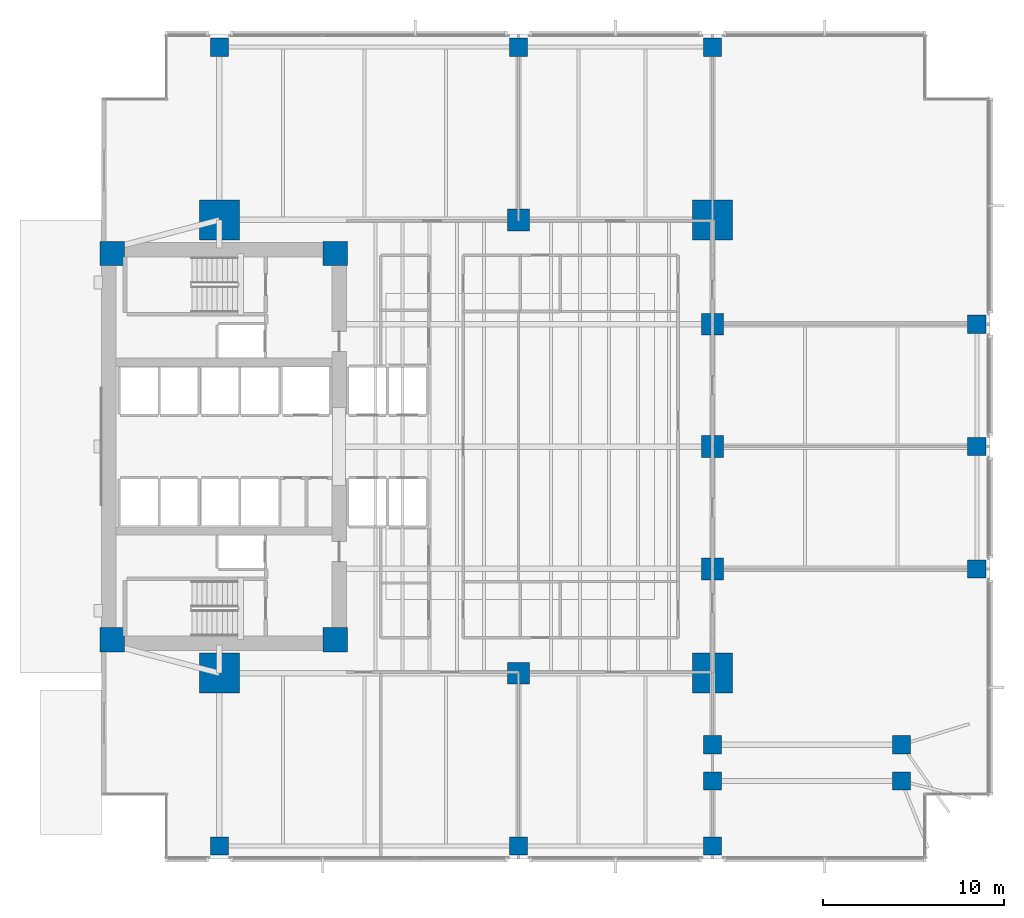
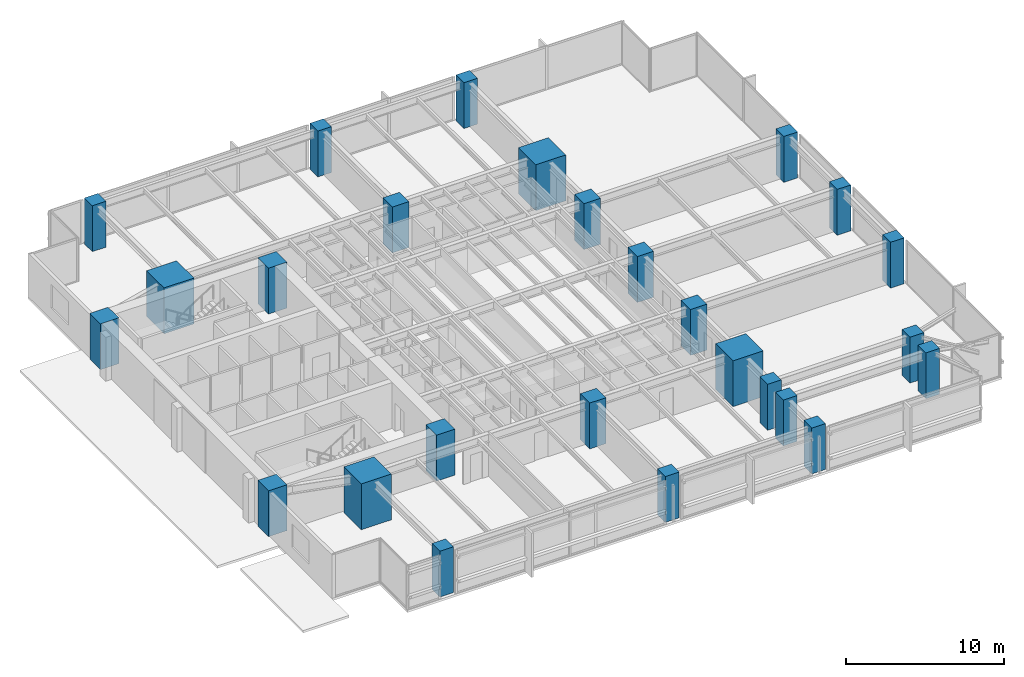
# One storey, part 1 of 16: 26 columns.
"""IFC4 building model written with IfcOpenShell, lengths in metres."""

import ifcopenshell
import ifcopenshell.guid

model = None  # the IFC model being written
_history = None  # IfcOwnerHistory: only IFC2X3 demands one
_inside = {}  # id of a spatial element -> (the spatial element, [elements in it])
_under = {}  # id of a project, library or spatial element -> (it, [spatial elements below it])
_declared = {}  # id of a project -> (the project, [libraries it declares])
_typed = {}  # id of a type object -> (the type object, [elements of that type])
_made_of = {}  # id of a material, layer set ... -> (it, [elements and type objects made of it])


def new_model(schema):
    """Start an empty IFC model of exactly this schema.

    Asked for "IFC4X3", IfcOpenShell would pick the latest addendum, in which some entities
    have other attributes; the version numbers below select the first issue.
    IFC2X3 requires an IfcOwnerHistory on every rooted entity: one is made here for all.
    """
    global model, _history
    if schema == "IFC4X3":
        model = ifcopenshell.file(schema_version=(4, 3, 0, 0))
    else:
        model = ifcopenshell.file(schema=schema)
    _inside.clear()
    _under.clear()
    _declared.clear()
    _typed.clear()
    _made_of.clear()
    _history = None
    if model.schema == "IFC2X3":
        org = make("IfcOrganization", Name="unknown")
        user = make(
            "IfcPersonAndOrganization",
            ThePerson=make("IfcPerson", FamilyName="unknown"),
            TheOrganization=org,
        )
        app = make(
            "IfcApplication",
            ApplicationDeveloper=org,
            Version="unknown",
            ApplicationFullName="unknown",
            ApplicationIdentifier="unknown",
        )
        _history = make(
            "IfcOwnerHistory",
            OwningUser=user,
            OwningApplication=app,
            ChangeAction="ADDED",
            CreationDate=0,
        )
    return model


def make(cls, **values):
    """One entity of the class cls with the attributes given. An attribute that is None is left unset."""
    return model.create_entity(
        cls, **{name: value for name, value in values.items() if value is not None}
    )


def rooted(cls, **values):
    """An entity with a GlobalId (a new one), such as an element, a storey or a relation."""
    return make(cls, GlobalId=ifcopenshell.guid.new(), OwnerHistory=_history, **values)


def si_unit(unit_type, name, prefix=None):
    """IfcSIUnit, for example si_unit("LENGTHUNIT", "METRE", prefix="MILLI")."""
    return make("IfcSIUnit", UnitType=unit_type, Prefix=prefix, Name=name)


def assignment(units):
    """IfcUnitAssignment: the units of a project."""
    return None if units is None else make("IfcUnitAssignment", Units=units)


def point(xyz):
    """IfcCartesianPoint."""
    return None if xyz is None else make("IfcCartesianPoint", Coordinates=xyz)


def direction(xyz):
    """IfcDirection."""
    return None if xyz is None else make("IfcDirection", DirectionRatios=xyz)


def frame(location, z_axis=None, x_axis=None):
    """IfcAxis2Placement3D, a coordinate frame: its origin and axes. An axis left out is left unset."""
    return make(
        "IfcAxis2Placement3D",
        Location=point(location),
        Axis=direction(z_axis),
        RefDirection=direction(x_axis),
    )


def frame_2d(location, x_axis=None):
    """IfcAxis2Placement2D, a coordinate frame in the plane: its origin and x axis."""
    return make(
        "IfcAxis2Placement2D", Location=point(location), RefDirection=direction(x_axis)
    )


def origin():
    """The frame at (0, 0, 0) with its axes left unset."""
    return frame((0.0, 0.0, 0.0))


def origin_2d():
    """The frame at (0, 0) in the plane with its x axis left unset."""
    return frame_2d((0.0, 0.0))


def place(relative_to, where):
    """IfcLocalPlacement: puts the frame where relative to a parent placement (None: the world)."""
    return make(
        "IfcLocalPlacement", PlacementRelTo=relative_to, RelativePlacement=where
    )


def context(
    kind, dimensions, precision=None, world=None, true_north=None, identifier=None
):
    """IfcGeometricRepresentationContext, for example the 3D "Model" context."""
    return make(
        "IfcGeometricRepresentationContext",
        ContextIdentifier=identifier,
        ContextType=kind,
        CoordinateSpaceDimension=dimensions,
        Precision=precision,
        WorldCoordinateSystem=world,
        TrueNorth=true_north,
    )


def subcontext(parent, identifier, kind, view, scale=None):
    """IfcGeometricRepresentationSubContext, for example "Body" below "Model"."""
    return make(
        "IfcGeometricRepresentationSubContext",
        ContextIdentifier=identifier,
        ContextType=kind,
        ParentContext=parent,
        TargetScale=scale,
        TargetView=view,
    )


def project(units=None, contexts=None):
    """IfcProject with its units and contexts."""
    return rooted(
        "IfcProject",
        Name="project",
        RepresentationContexts=contexts,
        UnitsInContext=assignment(units),
    )


def spatial(cls, under=None, at=None, **own):
    """A site, building, storey or space (cls), placed at a placement, below another one or the project."""
    s = rooted(cls, ObjectPlacement=at, **own)
    if under is not None:
        _under.setdefault(under.id(), (under, []))[1].append(s)
    return s


def profile(cls, at=None, kind="AREA", **sizes):
    """A parametric profile (cls). Its sizes go by their IFC names, for example OverallWidth=200.0."""
    return make(cls, ProfileType=kind, Position=at, **sizes)


def rectangle(**sizes):
    """IfcRectangleProfileDef."""
    return profile("IfcRectangleProfileDef", **sizes)


def extrude(swept, where, along, depth):
    """IfcExtrudedAreaSolid: the profile swept, set in the frame where, extruded along a direction by depth."""
    return make(
        "IfcExtrudedAreaSolid",
        SweptArea=swept,
        Position=where,
        ExtrudedDirection=direction(along),
        Depth=depth,
    )


def shape(context_of_items, identifier, shape_type, items):
    """IfcShapeRepresentation: the items that make up one representation, for example the "Body"."""
    return make(
        "IfcShapeRepresentation",
        ContextOfItems=context_of_items,
        RepresentationIdentifier=identifier,
        RepresentationType=shape_type,
        Items=items,
    )


def material(Name=None, Category=None):
    """IfcMaterial."""
    return make("IfcMaterial", Name=Name, Category=Category)


def material_profile(
    of_material, cross_section, Name=None, Category=None, Priority=None
):
    """IfcMaterialProfile: a cross section and its material."""
    return make(
        "IfcMaterialProfile",
        Name=Name,
        Material=of_material,
        Profile=cross_section,
        Priority=Priority,
        Category=Category,
    )


def profile_set(profiles, Name=None, composite=None):
    """IfcMaterialProfileSet."""
    return make(
        "IfcMaterialProfileSet",
        Name=Name,
        MaterialProfiles=profiles,
        CompositeProfile=composite,
    )


def made_of(thing, what):
    """Note that an element or type object is made of a material, layer set ...; save() writes the relation."""
    if what is not None:
        _made_of.setdefault(what.id(), (what, []))[1].append(thing)
    return thing


def type_object(cls, material=None, **own):
    """A type object (cls), such as IfcWallType, which elements share."""
    return made_of(rooted(cls, **own), material)


def element(
    cls,
    number,
    at=None,
    inside=None,
    cuts=None,
    type_object=None,
    material=None,
    context=None,
    identifier="Body",
    shape_type=None,
    held_by="IfcProductDefinitionShape",
    body=None,
    shapes=None,
    **own,
):
    """One element of the class cls, such as IfcWall. Its Tag is "e" and its number.

    at: its placement. inside: the storey or other place that contains it. cuts: it is an
    opening in that element (IfcRelVoidsElement). A single representation is given by context,
    identifier, shape_type and body (its items); several are given by shapes. held_by: the class
    of the entity that holds the representations. save() writes the other relations.
    """
    e = rooted(cls, Tag="e%d" % number, ObjectPlacement=at, **own)
    if body is not None:
        shapes = [shape(context, identifier, shape_type, body)]
    if shapes is not None:
        e.Representation = make(held_by, Representations=shapes)
    if inside is not None:
        _inside.setdefault(inside.id(), (inside, []))[1].append(e)
    if cuts is not None:
        rooted(
            "IfcRelVoidsElement", RelatingBuildingElement=cuts, RelatedOpeningElement=e
        )
    if type_object is not None:
        _typed.setdefault(type_object.id(), (type_object, []))[1].append(e)
    return made_of(e, material)


def aggregate(whole, parts):
    """IfcRelAggregates: a whole, such as a stair, and the parts it consists of."""
    return rooted("IfcRelAggregates", RelatingObject=whole, RelatedObjects=parts)


def save(model, path):
    """Write the relations noted so far, then the file.

    IfcRelAggregates (storeys below a building ...), IfcRelContainedInSpatialStructure (elements
    in a storey), IfcRelDefinesByType, IfcRelAssociatesMaterial and IfcRelDeclares: one each for
    every whole, place, type object, material and project.
    """
    for whole, parts in _under.values():
        aggregate(whole, parts)
    for where, things in _inside.values():
        rooted(
            "IfcRelContainedInSpatialStructure",
            RelatedElements=things,
            RelatingStructure=where,
        )
    for kind, things in _typed.values():
        rooted("IfcRelDefinesByType", RelatedObjects=things, RelatingType=kind)
    for what, things in _made_of.values():
        rooted("IfcRelAssociatesMaterial", RelatedObjects=things, RelatingMaterial=what)
    for by, libraries in _declared.values():
        rooted("IfcRelDeclares", RelatingContext=by, RelatedDefinitions=libraries)
    model.write(path)


model = new_model("IFC4")

# Units and contexts
model_context = context("Model", 3, precision=1e-05, world=origin(), true_north=direction((0.0, 1.0)))
body_context = subcontext(model_context, "Body", "Model", "MODEL_VIEW")
ifc_project = project(units=[si_unit("LENGTHUNIT", "METRE"), si_unit("AREAUNIT", "SQUARE_METRE"), si_unit("VOLUMEUNIT", "CUBIC_METRE"), si_unit("PLANEANGLEUNIT", "RADIAN"), si_unit("MASSUNIT", "GRAM", prefix="KILO")], contexts=[model_context])

# Site, building, storey
site_placement = place(None, origin())
site = spatial("IfcSite", under=ifc_project, at=site_placement, CompositionType="ELEMENT")
building_placement = place(site_placement, origin())
building = spatial("IfcBuilding", under=site, at=building_placement, Name="Kinhvarn Gate Tower", CompositionType="ELEMENT")
storey_placement = place(building_placement, frame((0.0, 0.0, 25.60009765625)))
storey = spatial("IfcBuildingStorey", under=building, at=storey_placement, Name="L05", CompositionType="ELEMENT", Elevation=25.60009765625)

# Columns
ifc_material_1 = material(Name="Concrete C70/85", Category="concrete")
ifc_material_profile_1 = material_profile(ifc_material_1, rectangle(XDim=2.199951171875, YDim=2.199951171875, at=origin_2d()), Name="RC 2200x2200")
ifc_profile_set_1 = profile_set([ifc_material_profile_1], Name="Concrete C70/85")
column_type_1 = type_object("IfcColumnType", Name="COL-MC-2200", PredefinedType="COLUMN", material=ifc_profile_set_1)
for number, where, z_axis, x_axis, name in (
    (1, (11.0, 12.75, 0.0), (0.0, 0.0, 1.0), (1.0, 0.0, 0.0), "Column MC1-L05 (MC-22)"),
    (2, (11.0, 37.75, 0.0), (0.0, 0.0, 1.0), (1.0, 0.0, 0.0), "Column MC4-L05 (MC-22)"),
    (3, (38.199951171875, 12.75, 0.0), (0.0, 0.0, 1.0), (1.0, 0.0, 0.0), "Column MC2-L05 (MC-22)"),
    (4, (38.199951171875, 37.75, 0.0), (0.0, 0.0, 1.0), (1.0, 0.0, 0.0), "Column MC3-L05 (MC-22)"),
):
    element("IfcColumn", number, at=place(storey_placement, frame(where, z_axis=z_axis, x_axis=x_axis)), inside=storey, type_object=column_type_1, Name=name, PredefinedType="COLUMN", context=body_context, shape_type="SweptSolid", body=[
        extrude(rectangle(XDim=2.199951171875, YDim=2.199951171875, at=origin_2d()), origin(), (0.0, 0.0, 1.0), 3.5498046875),
    ])
ifc_material_2 = material(Name="Concrete C60/75", Category="concrete")
ifc_material_profile_2 = material_profile(ifc_material_2, rectangle(XDim=1.0, YDim=1.0, at=origin_2d()), Name="RC 1000x1000")
ifc_profile_set_2 = profile_set([ifc_material_profile_2], Name="Concrete C60/75")
column_type_2 = type_object("IfcColumnType", Name="COL-RC-1000", PredefinedType="COLUMN", material=ifc_profile_set_2)
for number, where, z_axis, x_axis, name in (
    (5, (48.6201171875, 6.800048828125, 0.0), (0.0, 0.0, 1.0), (1.0, 0.0, 0.0), "Column CS-SE1-L05 (C-100)"),
    (6, (38.199951171875, 6.800048828125, 0.0), (0.0, 0.0, 1.0), (1.0, 0.0, 0.0), "Column CS-ANC68-L05 (C-100)"),
    (7, (38.199951171875, 8.800048828125, 0.0), (0.0, 0.0, 1.0), (1.0, 0.0, 0.0), "Column CS-ANC88-L05 (C-100)"),
    (8, (48.6201171875, 8.800048828125, 0.0), (0.0, 0.0, 1.0), (1.0, 0.0, 0.0), "Column CS-SE1B-L05 (C-100)"),
    (9, (52.780029296875, 18.5, 0.0), (0.0, 0.0, 1.0), (1.0, 0.0, 0.0), "Column CE-1-L05 (C-100)"),
    (10, (52.780029296875, 25.25, 0.0), (0.0, 0.0, 1.0), (1.0, 0.0, 0.0), "Column CE-2-L05 (C-100)"),
    (11, (52.780029296875, 32.0, 0.0), (0.0, 0.0, 1.0), (1.0, 0.0, 0.0), "Column CE-3-L05 (C-100)"),
    (12, (11.0, 3.219970703125, 0.0), (0.0, 0.0, 1.0), (1.0, 0.0, 0.0), "Column CS-0-L05 (C-100)"),
    (13, (27.5, 3.219970703125, 0.0), (0.0, 0.0, 1.0), (1.0, 0.0, 0.0), "Column CS-1-L05 (C-100)"),
    (14, (38.199951171875, 3.219970703125, 0.0), (0.0, 0.0, 1.0), (1.0, 0.0, 0.0), "Column CS-2-L05 (C-100)"),
    (15, (11.0, 47.280029296875, 0.0), (0.0, 0.0, 1.0), (1.0, 0.0, 0.0), "Column CN-0-L05 (C-100)"),
    (16, (27.5, 47.280029296875, 0.0), (0.0, 0.0, 1.0), (1.0, 0.0, 0.0), "Column CN-1-L05 (C-100)"),
    (17, (38.199951171875, 47.280029296875, 0.0), (0.0, 0.0, 1.0), (1.0, 0.0, 0.0), "Column CN-2-L05 (C-100)"),
):
    element("IfcColumn", number, at=place(storey_placement, frame(where, z_axis=z_axis, x_axis=x_axis)), inside=storey, type_object=column_type_2, Name=name, PredefinedType="COLUMN", context=body_context, shape_type="SweptSolid", body=[
        extrude(rectangle(XDim=1.0, YDim=1.0, at=origin_2d()), origin(), (0.0, 0.0, 1.0), 3.5498046875),
    ])
ifc_material_profile_3 = material_profile(ifc_material_2, rectangle(XDim=1.199951171875, YDim=1.199951171875, at=origin_2d()), Name="RC 1200x1200")
ifc_profile_set_3 = profile_set([ifc_material_profile_3], Name="Concrete C60/75")
column_type_3 = type_object("IfcColumnType", Name="COL-RC-1200", PredefinedType="COLUMN", material=ifc_profile_set_3)
for number, where, z_axis, x_axis, name in (
    (18, (27.5, 12.75, 0.0), (0.0, 0.0, 1.0), (1.0, 0.0, 0.0), "Column SP27-S-L05 (C-120)"),
    (19, (27.5, 37.75, 0.0), (0.0, 0.0, 1.0), (1.0, 0.0, 0.0), "Column SP27-N-L05 (C-120)"),
    (20, (38.199951171875, 18.5, 0.0), (0.0, 0.0, 1.0), (1.0, 0.0, 0.0), "Column SP38-E1-L05 (C-120)"),
    (21, (38.199951171875, 25.25, 0.0), (0.0, 0.0, 1.0), (1.0, 0.0, 0.0), "Column SP38-E2-L05 (C-120)"),
    (22, (38.199951171875, 32.0, 0.0), (0.0, 0.0, 1.0), (1.0, 0.0, 0.0), "Column SP38-E3-L05 (C-120)"),
):
    element("IfcColumn", number, at=place(storey_placement, frame(where, z_axis=z_axis, x_axis=x_axis)), inside=storey, type_object=column_type_3, Name=name, PredefinedType="COLUMN", context=body_context, shape_type="SweptSolid", body=[
        extrude(rectangle(XDim=1.199951171875, YDim=1.199951171875, at=origin_2d()), origin(), (0.0, 0.0, 1.0), 3.5498046875),
    ])
ifc_material_profile_4 = material_profile(ifc_material_1, rectangle(XDim=1.35009765625, YDim=1.35009765625, at=origin_2d()), Name="RC 1350x1350")
ifc_profile_set_4 = profile_set([ifc_material_profile_4], Name="Concrete C70/85")
column_type_4 = type_object("IfcColumnType", Name="PIL-RC-1350", PredefinedType="PILASTER", material=ifc_profile_set_4)
for number, where, z_axis, x_axis, name in (
    (23, (5.10009765625, 14.60009765625, 0.0), (0.0, 0.0, 1.0), (1.0, 0.0, 0.0), "Column CC-SW-L05 (CP-135)"),
    (24, (5.10009765625, 35.89990234375, 0.0), (0.0, 0.0, 1.0), (1.0, 0.0, 0.0), "Column CC-NW-L05 (CP-135)"),
    (25, (17.39990234375, 14.60009765625, 0.0), (0.0, 0.0, 1.0), (1.0, 0.0, 0.0), "Column CC-SE-L05 (CP-135)"),
    (26, (17.39990234375, 35.89990234375, 0.0), (0.0, 0.0, 1.0), (1.0, 0.0, 0.0), "Column CC-NE-L05 (CP-135)"),
):
    element("IfcColumn", number, at=place(storey_placement, frame(where, z_axis=z_axis, x_axis=x_axis)), inside=storey, type_object=column_type_4, Name=name, PredefinedType="PILASTER", context=body_context, shape_type="SweptSolid", body=[
        extrude(rectangle(XDim=1.35009765625, YDim=1.35009765625, at=origin_2d()), origin(), (0.0, 0.0, 1.0), 3.5498046875),
    ])

save(model, "model.ifc")
